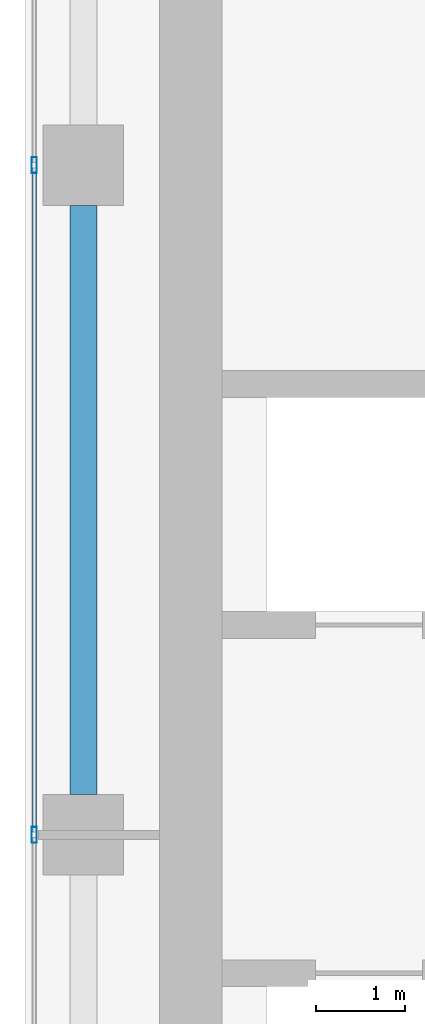
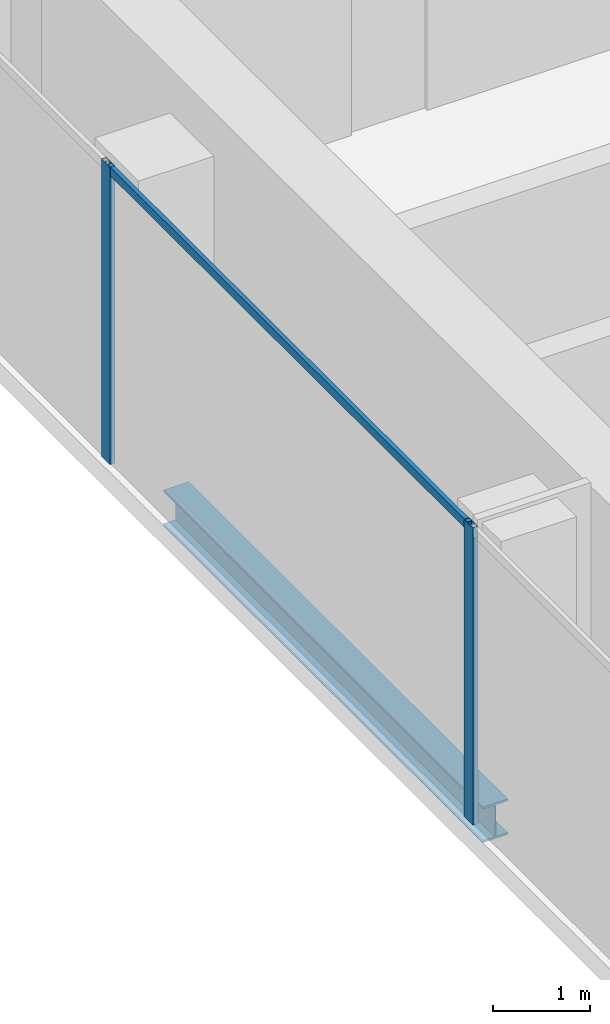
# One storey, part 8 of 36: 3 members, 1 beam, 1 element without a shape of its own.
"""IFC4 building model written with IfcOpenShell, lengths in metres."""

from ifc_helpers import new_model, si_unit, direction, frame, origin, origin_2d, place, context, subcontext, project, spatial, hollow_rectangle, i_section, extrude, source, transform, mapped, material, material_profile, profile_set, type_object, element, aggregate, save


model = new_model("IFC4")

# Units and contexts
model_context = context("Model", 3, precision=1e-05, world=origin(), true_north=direction((0.0, 1.0)))
body_context = subcontext(model_context, "Body", "Model", "MODEL_VIEW")
ifc_project = project(units=[si_unit("LENGTHUNIT", "METRE"), si_unit("AREAUNIT", "SQUARE_METRE"), si_unit("VOLUMEUNIT", "CUBIC_METRE"), si_unit("PLANEANGLEUNIT", "RADIAN"), si_unit("MASSUNIT", "GRAM", prefix="KILO")], contexts=[model_context])

# Site, building, storey
site_placement = place(None, origin())
site = spatial("IfcSite", under=ifc_project, at=site_placement, CompositionType="ELEMENT")
building_placement = place(site_placement, origin())
building = spatial("IfcBuilding", under=site, at=building_placement, Name="Khomas Fold Tower", CompositionType="ELEMENT")
storey_placement = place(building_placement, frame((0.0, 0.0, 226.199951171875)))
storey = spatial("IfcBuildingStorey", under=building, at=storey_placement, Name="L50", CompositionType="ELEMENT", Elevation=226.199951171875)

# Beam
ifc_material_1 = material(Name="Steel S355", Category="steel")
ifc_material_profile_1 = material_profile(ifc_material_1, i_section(OverallWidth=0.300048828125, OverallDepth=0.449951171875, WebThickness=0.013916015625, FlangeThickness=0.02587890625, at=origin_2d()), Name="HE 450 B")
ifc_profile_set_1 = profile_set([ifc_material_profile_1], Name="Steel S355")
beam_type = type_object("IfcBeamType", Name="HE 450 B spandrel SB4", PredefinedType="SPANDREL", material=ifc_profile_set_1)
shared_shape_1 = source(origin(), body_context, "Body", "SweptSolid", [
    extrude(i_section(OverallWidth=0.300048828125, OverallDepth=0.449951171875, WebThickness=0.013916015625, FlangeThickness=0.02587890625, at=origin_2d()), origin(), (0.0, 0.0, 1.0), 6.60009765625),
])
beam_placement = place(storey_placement, frame((5.14990234375, 27.449951171875, -0.474853515625), z_axis=(0.0, 1.0, 0.0), x_axis=(-1.0, 0.0, 0.0)))
element("IfcBeam", 1, at=beam_placement, inside=storey, type_object=beam_type, Name="SB4", PredefinedType="SPANDREL", context=body_context, shape_type="MappedRepresentation", body=[
    mapped(shared_shape_1, transform((0.0, 0.0, 0.0))),
])

# Curtain wall, members
ifc_material_2 = material(Name="Aluminium framed double glazing", Category="aluminium")
curtain_wall_type = type_object("IfcCurtainWallType", Name="SK-Unitised clear-glass wall, office floors CW2", PredefinedType="NOTDEFINED", material=ifc_material_2)
curtain_wall_placement = place(storey_placement, origin())
curtain_wall = element("IfcCurtainWall", 2, at=curtain_wall_placement, inside=storey, type_object=curtain_wall_type, Name="CW2 run L50 09-0", PredefinedType="NOTDEFINED")
ifc_material_3 = material(Name="Aluminium", Category="aluminium")
ifc_material_profile_2 = material_profile(ifc_material_3, hollow_rectangle(XDim=0.06005859375, YDim=0.179931640625, WallThickness=0.00390625, at=origin_2d()), Name="SK-Unitised clear-glass wall, office floors mullion CW2-M")
ifc_profile_set_2 = profile_set([ifc_material_profile_2], Name="Aluminium")
member_type_1 = type_object("IfcMemberType", Name="SK-Unitised clear-glass wall, office floors mullion CW2-M", PredefinedType="MULLION", material=ifc_profile_set_2)
shared_shape_2 = source(origin(), body_context, "Body", "SweptSolid", [
    extrude(hollow_rectangle(XDim=0.06005859375, YDim=0.179931640625, WallThickness=0.00390625, at=origin_2d()), origin(), (0.0, 0.0, 1.0), 3.75),
])
member_1_placement = place(storey_placement, frame((4.60009765625, 34.5, 0.0), z_axis=(0.0, 0.0, 1.0), x_axis=(1.0, 0.0, 0.0)))
member_1 = element("IfcMember", 3, at=member_1_placement, type_object=member_type_1, Name="CW2 mullion 3", PredefinedType="MULLION", context=body_context, shape_type="MappedRepresentation", body=[
    mapped(shared_shape_2, transform((0.0, 0.0, 0.0))),
])
member_2_placement = place(storey_placement, frame((4.60009765625, 27.0, 0.0), z_axis=(0.0, 0.0, 1.0), x_axis=(1.0, 0.0, 0.0)))
member_2 = element("IfcMember", 4, at=member_2_placement, type_object=member_type_1, Name="CW2 mullion 4", PredefinedType="MULLION", context=body_context, shape_type="MappedRepresentation", body=[
    mapped(shared_shape_2, transform((0.0, 0.0, 0.0))),
])
ifc_material_4 = material(Name="Aluminium", Category="aluminium")
ifc_material_profile_3 = material_profile(ifc_material_4, hollow_rectangle(XDim=0.050048828125, YDim=0.110107421875, WallThickness=0.00390625, at=origin_2d()), Name="SK-Unitised clear-glass wall, office floors transom CW2-T")
ifc_profile_set_3 = profile_set([ifc_material_profile_3], Name="Aluminium")
member_type_2 = type_object("IfcMemberType", Name="SK-Unitised clear-glass wall, office floors transom CW2-T", PredefinedType="USERDEFINED", material=ifc_profile_set_3)
shared_shape_3 = source(origin(), body_context, "Body", "SweptSolid", [
    extrude(hollow_rectangle(XDim=0.050048828125, YDim=0.110107421875, WallThickness=0.00390625, at=origin_2d()), origin(), (0.0, 0.0, 1.0), 7.43994140625),
])
member_3_placement = place(storey_placement, frame((4.60009765625, 34.469970703125, 3.695068359375), z_axis=(0.0, -1.0, 0.0), x_axis=(1.0, 0.0, 0.0)))
member_3 = element("IfcMember", 5, at=member_3_placement, type_object=member_type_2, Name="CW2 transom 3", ObjectType="TRANSOM", PredefinedType="USERDEFINED", context=body_context, shape_type="MappedRepresentation", body=[
    mapped(shared_shape_3, transform((0.0, 0.0, 0.0))),
])
aggregate(curtain_wall, [member_1, member_2, member_3])

save(model, "model.ifc")
